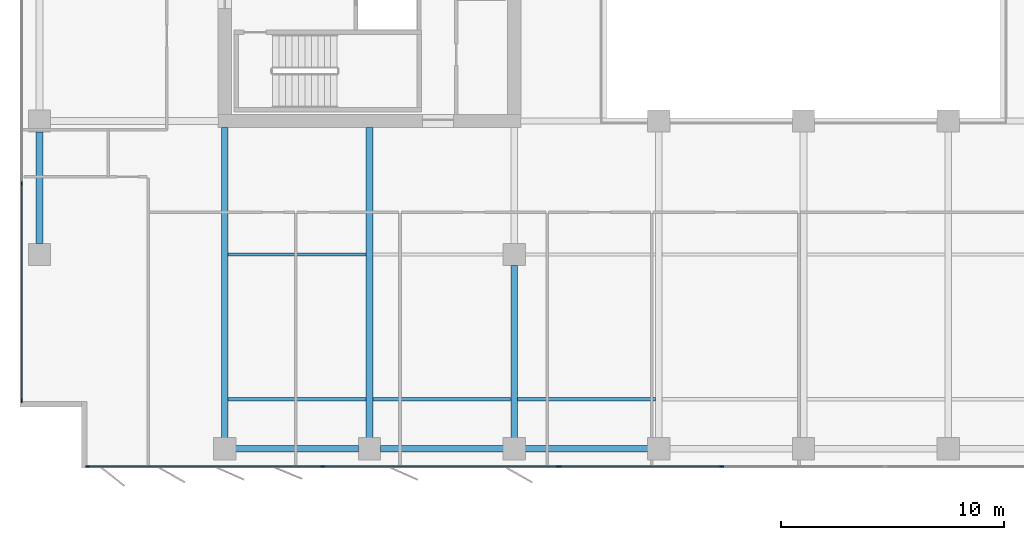
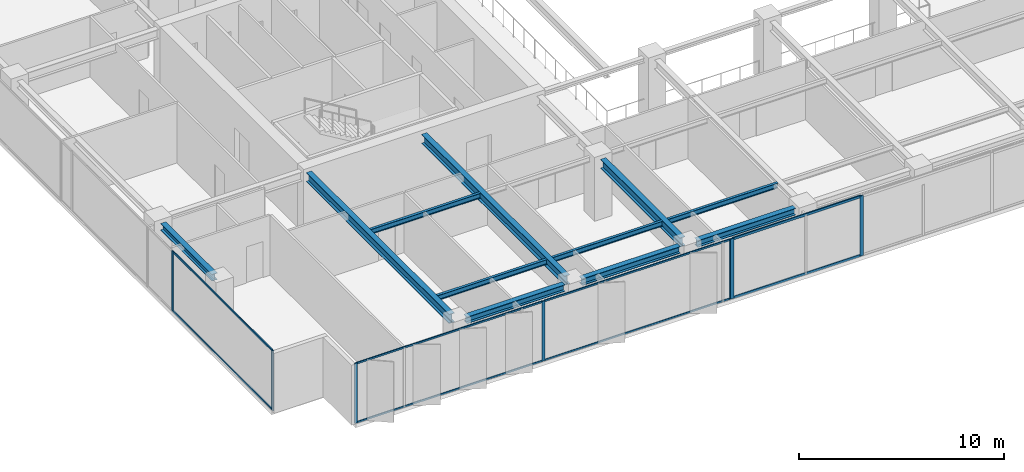
# One storey, part 2 of 22: 15 members, 11 beams, 3 elements without a shape of their own.
"""IFC4 building model written with IfcOpenShell, lengths in metres."""

from ifc_helpers import new_model, si_unit, direction, frame, origin, origin_2d, place, context, subcontext, project, spatial, rectangle, i_section, extrude, material, layer, layer_set, material_profile, profile_set, type_object, element, aggregate, save


model = new_model("IFC4")

# Units and contexts
model_context = context("Model", 3, precision=1e-05, world=origin(), true_north=direction((0.0, 1.0)))
body_context = subcontext(model_context, "Body", "Model", "MODEL_VIEW")
ifc_project = project(units=[si_unit("LENGTHUNIT", "METRE"), si_unit("AREAUNIT", "SQUARE_METRE"), si_unit("VOLUMEUNIT", "CUBIC_METRE"), si_unit("PLANEANGLEUNIT", "RADIAN"), si_unit("MASSUNIT", "GRAM", prefix="KILO")], contexts=[model_context])

# Site, building, storey
site_placement = place(None, origin())
site = spatial("IfcSite", under=ifc_project, at=site_placement, CompositionType="ELEMENT")
building_placement = place(site_placement, origin())
building = spatial("IfcBuilding", under=site, at=building_placement, Name="Putna Gate Headquarters", CompositionType="ELEMENT")
storey_placement = place(building_placement, frame((0.0, 0.0, 178.39990234375)))
storey = spatial("IfcBuildingStorey", under=building, at=storey_placement, Name="L44", CompositionType="ELEMENT", Elevation=178.39990234375)

# Beams
ifc_material_1 = material(Name="Steel S355J2", Category="steel")
ifc_material_profile_1 = material_profile(ifc_material_1, i_section(OverallWidth=0.300048828125, OverallDepth=0.550048828125, WebThickness=0.014892578125, FlangeThickness=0.029052734375, at=origin_2d()), Name="Steel S355J2")
ifc_profile_set_1 = profile_set([ifc_material_profile_1], Name="Steel S355J2")
beam_type_1 = type_object("IfcBeamType", Name="BM-GIRD-Z3-HEB550", PredefinedType="USERDEFINED", material=ifc_profile_set_1)
for number, where, z_axis, x_axis, name in (
    (1, (13.0, 4.76806640625, 3.297119140625), (0.0, 1.0, 0.0), (-1.0, 0.0, 0.0), "L44 South Primary Girder X13"),
    (2, (19.5, 4.76806640625, 3.297119140625), (0.0, 1.0, 0.0), (-1.0, 0.0, 0.0), "L44 South Primary Girder X19"),
):
    element("IfcBeam", number, at=place(storey_placement, frame(where, z_axis=z_axis, x_axis=x_axis)), inside=storey, type_object=beam_type_1, Name=name, ObjectType="GIRDER", PredefinedType="USERDEFINED", context=body_context, shape_type="SweptSolid", body=[
        extrude(i_section(OverallWidth=0.300048828125, OverallDepth=0.550048828125, WebThickness=0.014892578125, FlangeThickness=0.029052734375, at=origin_2d()), origin(), (0.0, 0.0, 1.0), 13.947021484375),
    ])
beam_1_placement = place(storey_placement, frame((26.0, 4.76806640625, 3.297119140625), z_axis=(0.0, 1.0, 0.0), x_axis=(-1.0, 0.0, 0.0)))
element("IfcBeam", 3, at=beam_1_placement, inside=storey, type_object=beam_type_1, Name="L44 South Primary Girder X26-1", ObjectType="GIRDER", PredefinedType="USERDEFINED", context=body_context, shape_type="SweptSolid", body=[
    extrude(i_section(OverallWidth=0.300048828125, OverallDepth=0.550048828125, WebThickness=0.014892578125, FlangeThickness=0.029052734375, at=origin_2d()), origin(), (0.0, 0.0, 1.0), 7.743896484375),
])
ifc_material_profile_2 = material_profile(ifc_material_1, i_section(OverallWidth=0.14990234375, OverallDepth=0.300048828125, WebThickness=0.007080078125, FlangeThickness=0.0107421875, at=origin_2d()), Name="Steel S355J2")
ifc_profile_set_2 = profile_set([ifc_material_profile_2], Name="Steel S355J2")
beam_type_2 = type_object("IfcBeamType", Name="BM-SEC-Z3-IPE300", PredefinedType="JOIST", material=ifc_profile_set_2)
for number, where, z_axis, x_axis, name in (
    (4, (13.154052734375, 6.5, 3.422119140625), (1.0, 0.0, 0.0), (0.0, 1.0, 0.0), "L44 South Secondary Beam 1"),
    (5, (13.154052734375, 13.0, 3.422119140625), (1.0, 0.0, 0.0), (0.0, 1.0, 0.0), "L44 South Secondary Beam 1"),
    (6, (19.654052734375, 6.5, 3.422119140625), (1.0, 0.0, 0.0), (0.0, 1.0, 0.0), "L44 South Secondary Beam 2"),
    (7, (26.154052734375, 6.5, 3.422119140625), (1.0, 0.0, 0.0), (0.0, 1.0, 0.0), "L44 South Secondary Beam 3"),
):
    element("IfcBeam", number, at=place(storey_placement, frame(where, z_axis=z_axis, x_axis=x_axis)), inside=storey, type_object=beam_type_2, Name=name, PredefinedType="JOIST", context=body_context, shape_type="SweptSolid", body=[
        extrude(i_section(OverallWidth=0.14990234375, OverallDepth=0.300048828125, WebThickness=0.007080078125, FlangeThickness=0.0107421875, at=origin_2d()), origin(), (0.0, 0.0, 1.0), 6.19189453125),
    ])
ifc_material_profile_3 = material_profile(ifc_material_1, i_section(OverallWidth=0.300048828125, OverallDepth=0.39990234375, WebThickness=0.013427734375, FlangeThickness=0.02392578125, at=origin_2d()), Name="Steel S355J2")
ifc_profile_set_3 = profile_set([ifc_material_profile_3], Name="Steel S355J2")
beam_type_3 = type_object("IfcBeamType", Name="BM-SPAN-Z3-HEB400", PredefinedType="SPANDREL", material=ifc_profile_set_3)
for number, where, z_axis, x_axis, name in (
    (8, (13.488037109375, 4.280029296875, 3.3720703125), (1.0, 0.0, 0.0), (0.0, 1.0, 0.0), "L44 S Perimeter Spandrel 1"),
    (9, (19.988037109375, 4.280029296875, 3.3720703125), (1.0, 0.0, 0.0), (0.0, 1.0, 0.0), "L44 S Perimeter Spandrel 2"),
    (10, (26.488037109375, 4.280029296875, 3.3720703125), (1.0, 0.0, 0.0), (0.0, 1.0, 0.0), "L44 S Perimeter Spandrel 3"),
):
    element("IfcBeam", number, at=place(storey_placement, frame(where, z_axis=z_axis, x_axis=x_axis)), inside=storey, type_object=beam_type_3, Name=name, PredefinedType="SPANDREL", context=body_context, shape_type="SweptSolid", body=[
        extrude(i_section(OverallWidth=0.300048828125, OverallDepth=0.39990234375, WebThickness=0.013427734375, FlangeThickness=0.02392578125, at=origin_2d()), origin(), (0.0, 0.0, 1.0), 5.52392578125),
    ])
beam_2_placement = place(storey_placement, frame((4.679931640625, 13.488037109375, 3.3720703125), z_axis=(0.0, 1.0, 0.0), x_axis=(-1.0, 0.0, 0.0)))
element("IfcBeam", 11, at=beam_2_placement, inside=storey, type_object=beam_type_3, Name="L44 W End Spandrel 1", PredefinedType="SPANDREL", context=body_context, shape_type="SweptSolid", body=[
    extrude(i_section(OverallWidth=0.300048828125, OverallDepth=0.39990234375, WebThickness=0.013427734375, FlangeThickness=0.02392578125, at=origin_2d()), origin(), (0.0, 0.0, 1.0), 5.02392578125),
])

# Curtain wall, members
ifc_material_2 = material(Name="Anodised bronze aluminium curtain wall", Category="aluminium")
ifc_layer_1 = layer(ifc_material_2, 0.159912109375)
ifc_layer_set_1 = layer_set([ifc_layer_1], Name="Anodised bronze aluminium curtain wall")
curtain_wall_type_1 = type_object("IfcCurtainWallType", Name="CW-SYS-Z3", PredefinedType="USERDEFINED", material=ifc_layer_set_1)
curtain_wall_1_placement = place(storey_placement, origin())
curtain_wall_1 = element("IfcCurtainWall", 12, at=curtain_wall_1_placement, inside=storey, type_object=curtain_wall_type_1, Name="L44 South West Curtain Wall", ObjectType="STICK CURTAIN WALL", PredefinedType="USERDEFINED")
ifc_material_3 = material(Name="Anodised bronze aluminium EN AW-6060", Category="aluminium")
ifc_material_profile_4 = material_profile(ifc_material_3, rectangle(XDim=0.06494140625, YDim=0.159912109375, at=origin_2d()), Name="Anodised bronze aluminium EN AW-6060")
ifc_profile_set_4 = profile_set([ifc_material_profile_4], Name="Anodised bronze aluminium EN AW-6060")
member_type_1 = type_object("IfcMemberType", Name="MULL-CWM-3", PredefinedType="MULLION", material=ifc_profile_set_4)
member_1_placement = place(storey_placement, frame((6.83251953125, 3.47998046875, 0.0), z_axis=(0.0, 0.0, 1.0), x_axis=(0.0, 1.0, 0.0)))
member_1 = element("IfcMember", 13, at=member_1_placement, type_object=member_type_1, Name="CWS-3 mullion 1", PredefinedType="MULLION", context=body_context, shape_type="SweptSolid", body=[
    extrude(rectangle(XDim=0.06494140625, YDim=0.159912109375, at=origin_2d()), origin(), (0.0, 0.0, 1.0), 3.572021484375),
])
member_2_placement = place(storey_placement, frame((17.39990234375, 3.47998046875, 0.0), z_axis=(0.0, 0.0, 1.0), x_axis=(0.0, 1.0, 0.0)))
member_2 = element("IfcMember", 14, at=member_2_placement, type_object=member_type_1, Name="CWS-3 mullion 2", PredefinedType="MULLION", context=body_context, shape_type="SweptSolid", body=[
    extrude(rectangle(XDim=0.06494140625, YDim=0.159912109375, at=origin_2d()), origin(), (0.0, 0.0, 1.0), 3.572021484375),
])
member_3_placement = place(storey_placement, frame((27.967529296875, 3.47998046875, 0.0), z_axis=(0.0, 0.0, 1.0), x_axis=(0.0, 1.0, 0.0)))
member_3 = element("IfcMember", 15, at=member_3_placement, type_object=member_type_1, Name="CWS-3 mullion 3", PredefinedType="MULLION", context=body_context, shape_type="SweptSolid", body=[
    extrude(rectangle(XDim=0.06494140625, YDim=0.159912109375, at=origin_2d()), origin(), (0.0, 0.0, 1.0), 3.572021484375),
])

curtain_wall_2_placement = place(storey_placement, origin())
curtain_wall_2 = element("IfcCurtainWall", 16, at=curtain_wall_2_placement, inside=storey, type_object=curtain_wall_type_1, Name="L44 West Curtain Wall", ObjectType="STICK CURTAIN WALL", PredefinedType="USERDEFINED")
member_4_placement = place(storey_placement, frame((3.8798828125, 6.4326171875, 0.0), z_axis=(0.0, 0.0, 1.0), x_axis=(-1.0, 0.0, 0.0)))
member_4 = element("IfcMember", 17, at=member_4_placement, type_object=member_type_1, Name="CWS-3 mullion 1", PredefinedType="MULLION", context=body_context, shape_type="SweptSolid", body=[
    extrude(rectangle(XDim=0.06494140625, YDim=0.159912109375, at=origin_2d()), origin(), (0.0, 0.0, 1.0), 3.572021484375),
])
member_5_placement = place(storey_placement, frame((3.8798828125, 16.199951171875, 0.0), z_axis=(0.0, 0.0, 1.0), x_axis=(-1.0, 0.0, 0.0)))
member_5 = element("IfcMember", 18, at=member_5_placement, type_object=member_type_1, Name="CWS-3 mullion 2", PredefinedType="MULLION", context=body_context, shape_type="SweptSolid", body=[
    extrude(rectangle(XDim=0.06494140625, YDim=0.159912109375, at=origin_2d()), origin(), (0.0, 0.0, 1.0), 3.572021484375),
])

ifc_layer_2 = layer(ifc_material_2, 0.179931640625)
ifc_layer_set_2 = layer_set([ifc_layer_2], Name="Anodised bronze aluminium curtain wall")
curtain_wall_type_2 = type_object("IfcCurtainWallType", Name="CW-SYS-ATR", PredefinedType="USERDEFINED", material=ifc_layer_set_2)
curtain_wall_3_placement = place(storey_placement, origin())
curtain_wall_3 = element("IfcCurtainWall", 19, at=curtain_wall_3_placement, inside=storey, type_object=curtain_wall_type_2, Name="L44 South Atrium Clear Glazing", ObjectType="ATRIUM GLAZING", PredefinedType="USERDEFINED")
ifc_material_profile_5 = material_profile(ifc_material_3, rectangle(XDim=0.070068359375, YDim=0.179931640625, at=origin_2d()), Name="Anodised bronze aluminium EN AW-6060")
ifc_profile_set_5 = profile_set([ifc_material_profile_5], Name="Anodised bronze aluminium EN AW-6060")
member_type_2 = type_object("IfcMemberType", Name="MULL-CWM-AT", PredefinedType="MULLION", material=ifc_profile_set_5)
member_6_placement = place(storey_placement, frame((28.034912109375, 3.47998046875, 0.0), z_axis=(0.0, 0.0, 1.0), x_axis=(0.0, 1.0, 0.0)))
member_6 = element("IfcMember", 20, at=member_6_placement, type_object=member_type_2, Name="CWS-AT mullion 1", PredefinedType="MULLION", context=body_context, shape_type="SweptSolid", body=[
    extrude(rectangle(XDim=0.070068359375, YDim=0.179931640625, at=origin_2d()), origin(), (0.0, 0.0, 1.0), 3.572021484375),
])
member_7_placement = place(storey_placement, frame((35.333251953125, 3.47998046875, 0.0), z_axis=(0.0, 0.0, 1.0), x_axis=(0.0, 1.0, 0.0)))
member_7 = element("IfcMember", 21, at=member_7_placement, type_object=member_type_2, Name="CWS-AT mullion 2", PredefinedType="MULLION", context=body_context, shape_type="SweptSolid", body=[
    extrude(rectangle(XDim=0.070068359375, YDim=0.179931640625, at=origin_2d()), origin(), (0.0, 0.0, 1.0), 3.572021484375),
])

# Member
ifc_material_profile_6 = material_profile(ifc_material_3, rectangle(XDim=0.06005859375, YDim=0.10009765625, at=origin_2d()), Name="Anodised bronze aluminium EN AW-6060")
ifc_profile_set_6 = profile_set([ifc_material_profile_6], Name="Anodised bronze aluminium EN AW-6060")
member_type_3 = type_object("IfcMemberType", Name="TRAN-CWT-3", PredefinedType="USERDEFINED", material=ifc_profile_set_6)
member_8_placement = place(storey_placement, frame((6.864990234375, 3.47998046875, 0.030029296875), z_axis=(1.0, 0.0, 0.0), x_axis=(0.0, 1.0, 0.0)))
member_8 = element("IfcMember", 22, at=member_8_placement, type_object=member_type_3, Name="CWS-3 transom 1.1", ObjectType="TRANSOM", PredefinedType="USERDEFINED", context=body_context, shape_type="SweptSolid", body=[
    extrude(rectangle(XDim=0.06005859375, YDim=0.10009765625, at=origin_2d()), origin(), (0.0, 0.0, 1.0), 10.50244140625),
])

member_9_placement = place(storey_placement, frame((6.864990234375, 3.47998046875, 3.5419921875), z_axis=(1.0, 0.0, 0.0), x_axis=(0.0, 1.0, 0.0)))
member_9 = element("IfcMember", 23, at=member_9_placement, type_object=member_type_3, Name="CWS-3 transom 1.2", ObjectType="TRANSOM", PredefinedType="USERDEFINED", context=body_context, shape_type="SweptSolid", body=[
    extrude(rectangle(XDim=0.06005859375, YDim=0.10009765625, at=origin_2d()), origin(), (0.0, 0.0, 1.0), 10.50244140625),
])

member_10_placement = place(storey_placement, frame((17.4326171875, 3.47998046875, 0.030029296875), z_axis=(1.0, 0.0, 0.0), x_axis=(0.0, 1.0, 0.0)))
member_10 = element("IfcMember", 24, at=member_10_placement, type_object=member_type_3, Name="CWS-3 transom 2.1", ObjectType="TRANSOM", PredefinedType="USERDEFINED", context=body_context, shape_type="SweptSolid", body=[
    extrude(rectangle(XDim=0.06005859375, YDim=0.10009765625, at=origin_2d()), origin(), (0.0, 0.0, 1.0), 10.50244140625),
])

member_11_placement = place(storey_placement, frame((17.4326171875, 3.47998046875, 3.5419921875), z_axis=(1.0, 0.0, 0.0), x_axis=(0.0, 1.0, 0.0)))
member_11 = element("IfcMember", 25, at=member_11_placement, type_object=member_type_3, Name="CWS-3 transom 2.2", ObjectType="TRANSOM", PredefinedType="USERDEFINED", context=body_context, shape_type="SweptSolid", body=[
    extrude(rectangle(XDim=0.06005859375, YDim=0.10009765625, at=origin_2d()), origin(), (0.0, 0.0, 1.0), 10.50244140625),
])

aggregate(curtain_wall_1, [member_1, member_2, member_3, member_8, member_9, member_10, member_11])

member_12_placement = place(storey_placement, frame((3.8798828125, 6.465087890625, 0.030029296875), z_axis=(0.0, 1.0, 0.0), x_axis=(-1.0, 0.0, 0.0)))
member_12 = element("IfcMember", 26, at=member_12_placement, type_object=member_type_3, Name="CWS-3 transom 1.1", ObjectType="TRANSOM", PredefinedType="USERDEFINED", context=body_context, shape_type="SweptSolid", body=[
    extrude(rectangle(XDim=0.06005859375, YDim=0.10009765625, at=origin_2d()), origin(), (0.0, 0.0, 1.0), 9.702392578125),
])

member_13_placement = place(storey_placement, frame((3.8798828125, 6.465087890625, 3.5419921875), z_axis=(0.0, 1.0, 0.0), x_axis=(-1.0, 0.0, 0.0)))
member_13 = element("IfcMember", 27, at=member_13_placement, type_object=member_type_3, Name="CWS-3 transom 1.2", ObjectType="TRANSOM", PredefinedType="USERDEFINED", context=body_context, shape_type="SweptSolid", body=[
    extrude(rectangle(XDim=0.06005859375, YDim=0.10009765625, at=origin_2d()), origin(), (0.0, 0.0, 1.0), 9.702392578125),
])

aggregate(curtain_wall_2, [member_4, member_5, member_12, member_13])

ifc_material_profile_7 = material_profile(ifc_material_3, rectangle(XDim=0.070068359375, YDim=0.139892578125, at=origin_2d()), Name="Anodised bronze aluminium EN AW-6060")
ifc_profile_set_7 = profile_set([ifc_material_profile_7], Name="Anodised bronze aluminium EN AW-6060")
member_type_4 = type_object("IfcMemberType", Name="TRAN-CWT-AT", PredefinedType="USERDEFINED", material=ifc_profile_set_7)
member_14_placement = place(storey_placement, frame((28.070068359375, 3.47998046875, 0.03515625), z_axis=(1.0, 0.0, 0.0), x_axis=(0.0, 1.0, 0.0)))
member_14 = element("IfcMember", 28, at=member_14_placement, type_object=member_type_4, Name="CWS-AT transom 1.1", ObjectType="TRANSOM", PredefinedType="USERDEFINED", context=body_context, shape_type="SweptSolid", body=[
    extrude(rectangle(XDim=0.070068359375, YDim=0.139892578125, at=origin_2d()), origin(), (0.0, 0.0, 1.0), 7.228271484375),
])

member_15_placement = place(storey_placement, frame((28.070068359375, 3.47998046875, 3.537109375), z_axis=(1.0, 0.0, 0.0), x_axis=(0.0, 1.0, 0.0)))
member_15 = element("IfcMember", 29, at=member_15_placement, type_object=member_type_4, Name="CWS-AT transom 1.2", ObjectType="TRANSOM", PredefinedType="USERDEFINED", context=body_context, shape_type="SweptSolid", body=[
    extrude(rectangle(XDim=0.070068359375, YDim=0.139892578125, at=origin_2d()), origin(), (0.0, 0.0, 1.0), 7.228271484375),
])

aggregate(curtain_wall_3, [member_6, member_7, member_14, member_15])

save(model, "model.ifc")
